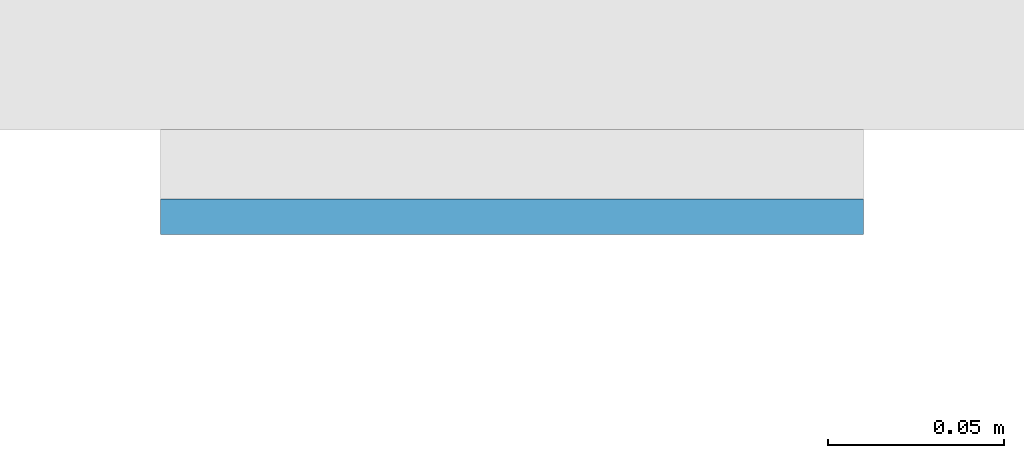
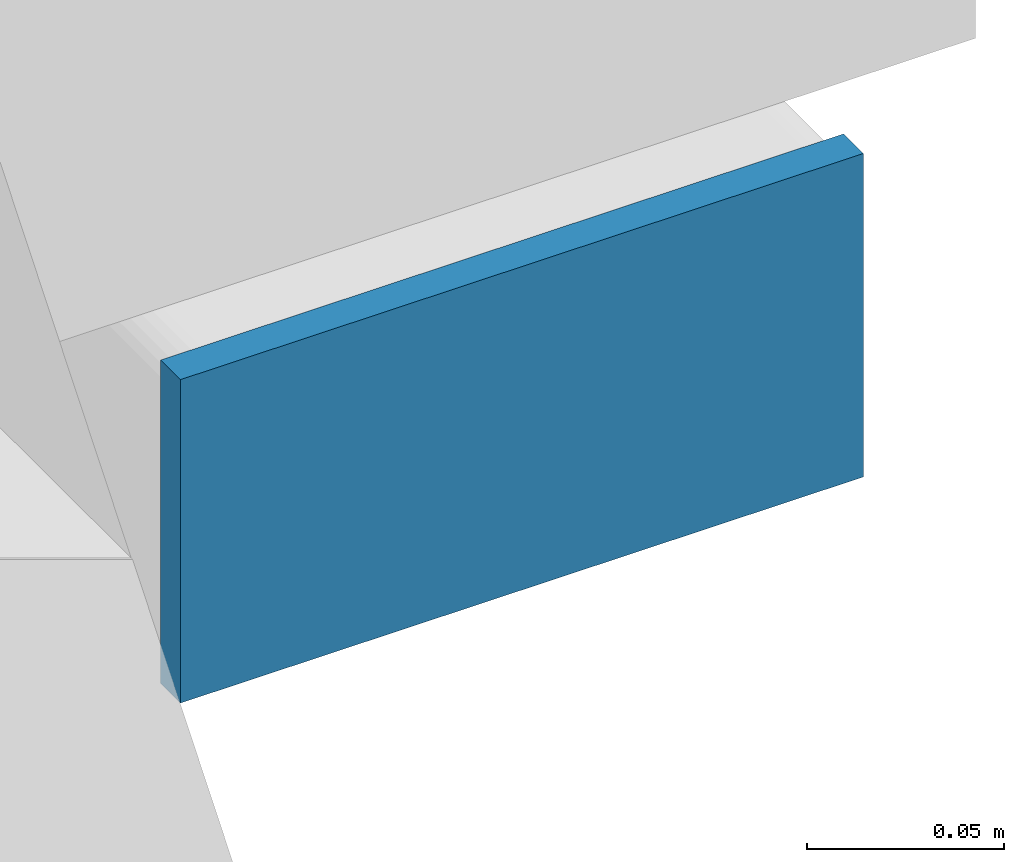
# One storey, part 10 of 20: 1 plate.
"""IFC4 building model written with IfcOpenShell, lengths in metres."""

from ifc_helpers import new_model, si_unit, direction, frame, origin, origin_2d, place, context, subcontext, project, spatial, rectangle, extrude, material, layer, layer_set, type_object, element, save


model = new_model("IFC4")

# Units and contexts
model_context = context("Model", 3, precision=1e-05, world=origin(), true_north=direction((0.0, 1.0)))
body_context = subcontext(model_context, "Body", "Model", "MODEL_VIEW")
ifc_project = project(units=[si_unit("LENGTHUNIT", "METRE"), si_unit("AREAUNIT", "SQUARE_METRE"), si_unit("VOLUMEUNIT", "CUBIC_METRE"), si_unit("PLANEANGLEUNIT", "RADIAN"), si_unit("MASSUNIT", "GRAM", prefix="KILO")], contexts=[model_context])

# Site, building, storey
site_placement = place(None, origin())
site = spatial("IfcSite", under=ifc_project, at=site_placement, CompositionType="ELEMENT")
building_placement = place(site_placement, origin())
building = spatial("IfcBuilding", under=site, at=building_placement, Name="Cleftline Residences", CompositionType="ELEMENT")
storey_placement = place(building_placement, frame((0.0, 0.0, 150.199951171875)))
storey = spatial("IfcBuildingStorey", under=building, at=storey_placement, Name="L39", CompositionType="ELEMENT", Elevation=150.199951171875)

# Plate
ifc_material = material(Name="Steel S355, hot-dip galvanised", Category="steel")
ifc_layer = layer(ifc_material, 0.010009765625)
ifc_layer_set = layer_set([ifc_layer], Name="BAGUETTE CARRIER END PLATE 200X100X10")
plate_type = type_object("IfcPlateType", Name="BAGUETTE CARRIER END PLATE 200X100X10", PredefinedType="USERDEFINED", material=ifc_layer_set)
plate_placement = place(storey_placement, frame((66.85009765625, 3.695068359375, -0.10009765625), z_axis=(0.0, 0.0, 1.0), x_axis=(1.0, 0.0, 0.0)))
element("IfcPlate", 1, at=plate_placement, inside=storey, type_object=plate_type, Name="Baguette carrier end plate", ObjectType="BAGUETTE CARRIER END PLATE", PredefinedType="USERDEFINED", context=body_context, shape_type="SweptSolid", body=[
    extrude(rectangle(XDim=0.199951171875, YDim=0.010009765625, at=origin_2d()), origin(), (0.0, 0.0, 1.0), 0.10009765625),
])

save(model, "model.ifc")
